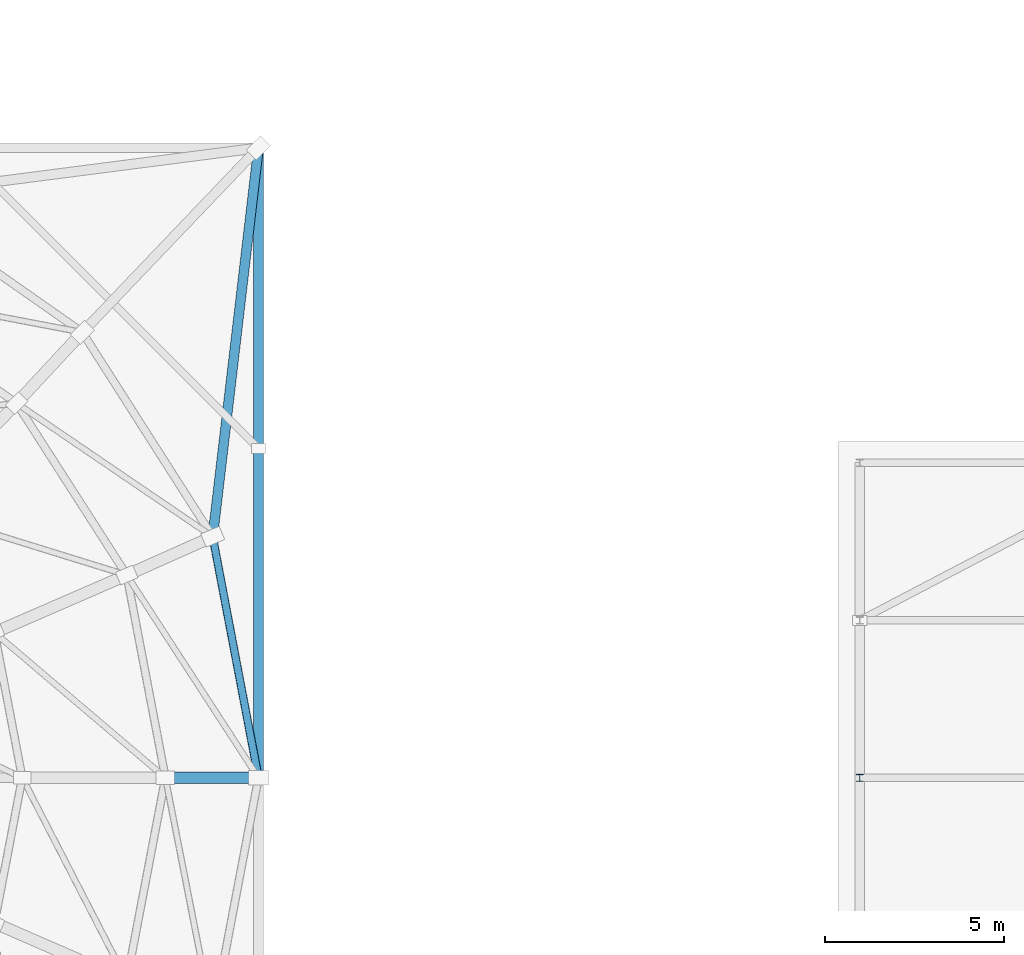
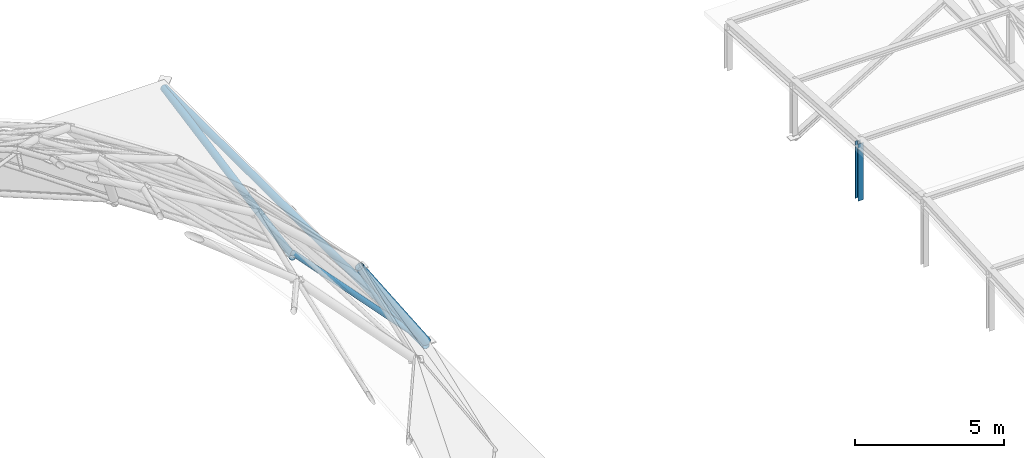
# One storey, part 9 of 49: 4 members, 1 beam.
"""IFC4 building model written with IfcOpenShell, lengths in metres."""

from ifc_helpers import new_model, si_unit, direction, frame, origin, origin_2d, place, context, subcontext, project, spatial, hollow_circle, i_section, extrude, material, material_profile, profile_set, type_object, element, save


model = new_model("IFC4")

# Units and contexts
model_context = context("Model", 3, precision=1e-05, world=origin(), true_north=direction((0.0, 1.0)))
body_context = subcontext(model_context, "Body", "Model", "MODEL_VIEW")
ifc_project = project(units=[si_unit("LENGTHUNIT", "METRE"), si_unit("AREAUNIT", "SQUARE_METRE"), si_unit("VOLUMEUNIT", "CUBIC_METRE"), si_unit("PLANEANGLEUNIT", "RADIAN"), si_unit("MASSUNIT", "GRAM", prefix="KILO")], contexts=[model_context])

# Site, building, storey
site_placement = place(None, origin())
site = spatial("IfcSite", under=ifc_project, at=site_placement, CompositionType="ELEMENT")
building_placement = place(site_placement, origin())
building = spatial("IfcBuilding", under=site, at=building_placement, Name="Kemercrest Conservatory and Botanical Centre", CompositionType="ELEMENT")
storey_placement = place(building_placement, frame((0.0, 0.0, 13.199951171875)))
storey = spatial("IfcBuildingStorey", under=building, at=storey_placement, Name="L03", CompositionType="ELEMENT", Elevation=13.199951171875)

# Beam
ifc_material = material(Name="Steel CSA G40.21 350W", Category="steel")
ifc_material_profile_1 = material_profile(ifc_material, hollow_circle(Radius=0.161865234375, WallThickness=0.0126953125, at=origin_2d()), Name="CHS 323.9x12.7")
ifc_profile_set_1 = profile_set([ifc_material_profile_1], Name="Steel CSA G40.21 350W")
beam_type = type_object("IfcBeamType", Name="GR-RIB324", PredefinedType="BEAM", material=ifc_profile_set_1)
beam_placement = place(storey_placement, frame((41.60009765625, 34.39990234375, 0.02001953125), z_axis=(-0.546925549136, 0.0, 0.837181249015), x_axis=(0.0, -1.0, 0.0)))
element("IfcBeam", 1, at=beam_placement, inside=storey, type_object=beam_type, Name="Conservatory dome arch rib R0-00", PredefinedType="BEAM", context=body_context, shape_type="SweptSolid", body=[
    extrude(hollow_circle(Radius=0.161865234375, WallThickness=0.0126953125, at=origin_2d()), origin(), (0.0, 0.0, 1.0), 4.75390625),
])

# Members
ifc_material_profile_2 = material_profile(ifc_material, hollow_circle(Radius=0.136474609375, WallThickness=0.0126953125, at=origin_2d()), Name="CHS 273.1x12.7")
ifc_profile_set_2 = profile_set([ifc_material_profile_2], Name="Steel CSA G40.21 350W")
member_type_1 = type_object("IfcMemberType", Name="MB-PEND273", PredefinedType="BRACE", material=ifc_profile_set_2)
member_1_placement = place(storey_placement, frame((41.60009765625, 52.0, -0.25), z_axis=(0.0, -0.999983827501, 0.005687243297), x_axis=(1.0, 0.0, 0.0)))
element("IfcMember", 2, at=member_1_placement, inside=storey, type_object=member_type_1, Name="Conservatory pendentive fan brace NE-00", PredefinedType="BRACE", context=body_context, shape_type="SweptSolid", body=[
    extrude(hollow_circle(Radius=0.136474609375, WallThickness=0.0126953125, at=origin_2d()), origin(), (0.0, 0.0, 1.0), 17.600341796875),
])
member_2_placement = place(storey_placement, frame((41.60009765625, 52.0, -0.25), z_axis=(-0.116890737429, -0.993102634036, 0.009149523166), x_axis=(0.993144204831, -0.116895630419, 0.0)))
element("IfcMember", 3, at=member_2_placement, inside=storey, type_object=member_type_1, Name="Conservatory pendentive fan brace NE-01", PredefinedType="BRACE", context=body_context, shape_type="SweptSolid", body=[
    extrude(hollow_circle(Radius=0.136474609375, WallThickness=0.0126953125, at=origin_2d()), origin(), (0.0, 0.0, 1.0), 10.940185546875),
])
ifc_material_profile_3 = material_profile(ifc_material, hollow_circle(Radius=0.109619140625, WallThickness=0.010009765625, at=origin_2d()), Name="CHS 219.1x10.0")
ifc_profile_set_3 = profile_set([ifc_material_profile_3], Name="Steel CSA G40.21 350W")
member_type_2 = type_object("IfcMemberType", Name="MB-RING219", PredefinedType="CHORD", material=ifc_profile_set_3)
member_3_placement = place(storey_placement, frame((41.60009765625, 34.39990234375, 0.02001953125), z_axis=(-0.186532785347, 0.982448736571, 0.0), x_axis=(-0.982448736571, -0.186532785347, 0.0)))
element("IfcMember", 4, at=member_3_placement, inside=storey, type_object=member_type_2, Name="Conservatory dome latitude ring R0-00", PredefinedType="CHORD", context=body_context, shape_type="SweptSolid", body=[
    extrude(hollow_circle(Radius=0.109619140625, WallThickness=0.010009765625, at=origin_2d()), origin(), (0.0, 0.0, 1.0), 6.855712890625),
])
ifc_material_profile_4 = material_profile(ifc_material, i_section(OverallWidth=0.202880859375, OverallDepth=0.202880859375, WebThickness=0.007080078125, FlangeThickness=0.010986328125, FilletRadius=0.010009765625, at=origin_2d()), Name="W200X46")
ifc_profile_set_4 = profile_set([ifc_material_profile_4], Name="Steel CSA G40.21 350W")
member_type_3 = type_object("IfcMemberType", Name="TR-VRT200", PredefinedType="BRACE", material=ifc_profile_set_4)
member_4_placement = place(storey_placement, frame((58.39990234375, 34.39990234375, -0.014892578125), z_axis=(0.0, 0.0, 1.0), x_axis=(1.0, 0.0, 0.0)))
element("IfcMember", 5, at=member_4_placement, inside=storey, type_object=member_type_3, Name="Auditorium Gable Post Strut 07-V4", PredefinedType="BRACE", context=body_context, shape_type="SweptSolid", body=[
    extrude(i_section(OverallWidth=0.202880859375, OverallDepth=0.202880859375, WebThickness=0.007080078125, FlangeThickness=0.010986328125, FilletRadius=0.010009765625, at=origin_2d()), origin(), (0.0, 0.0, 1.0), 2.34814453125),
])

save(model, "model.ifc")
